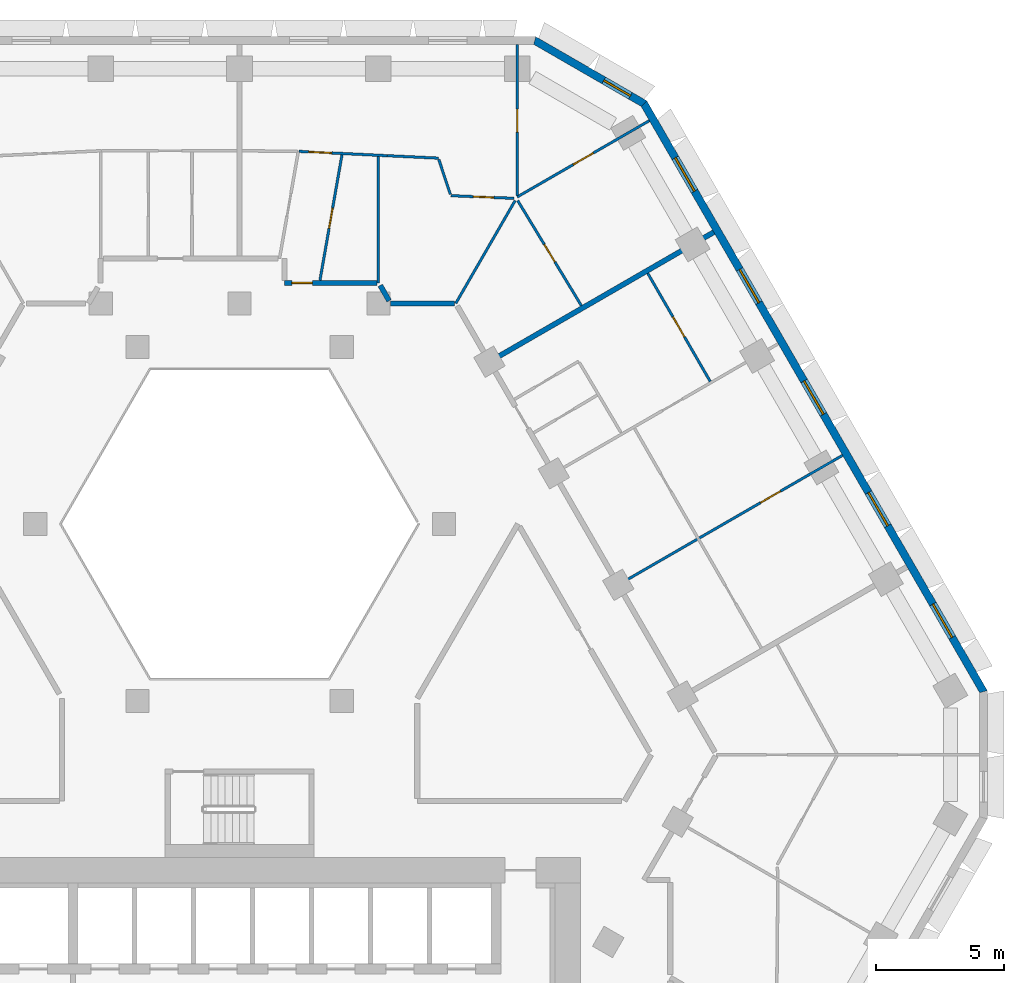
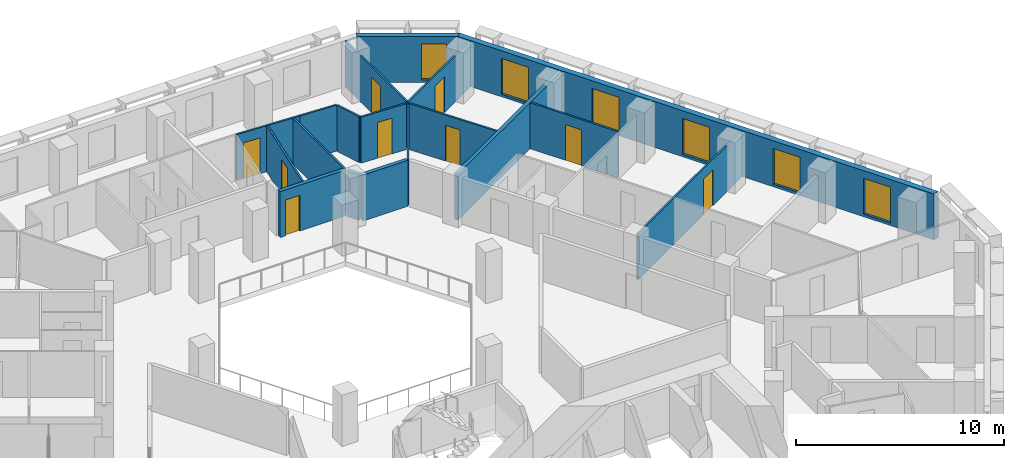
# One storey, part 9 of 15: 18 walls, 9 doors, 6 windows, 15 openings.
"""IFC4 building model written with IfcOpenShell, lengths in metres."""

import ifcopenshell
import ifcopenshell.guid

model = None  # the IFC model being written
_history = None  # IfcOwnerHistory: only IFC2X3 demands one
_inside = {}  # id of a spatial element -> (the spatial element, [elements in it])
_under = {}  # id of a project, library or spatial element -> (it, [spatial elements below it])
_declared = {}  # id of a project -> (the project, [libraries it declares])
_typed = {}  # id of a type object -> (the type object, [elements of that type])
_made_of = {}  # id of a material, layer set ... -> (it, [elements and type objects made of it])


def new_model(schema):
    """Start an empty IFC model of exactly this schema.

    Asked for "IFC4X3", IfcOpenShell would pick the latest addendum, in which some entities
    have other attributes; the version numbers below select the first issue.
    IFC2X3 requires an IfcOwnerHistory on every rooted entity: one is made here for all.
    """
    global model, _history
    if schema == "IFC4X3":
        model = ifcopenshell.file(schema_version=(4, 3, 0, 0))
    else:
        model = ifcopenshell.file(schema=schema)
    _inside.clear()
    _under.clear()
    _declared.clear()
    _typed.clear()
    _made_of.clear()
    _history = None
    if model.schema == "IFC2X3":
        org = make("IfcOrganization", Name="unknown")
        user = make(
            "IfcPersonAndOrganization",
            ThePerson=make("IfcPerson", FamilyName="unknown"),
            TheOrganization=org,
        )
        app = make(
            "IfcApplication",
            ApplicationDeveloper=org,
            Version="unknown",
            ApplicationFullName="unknown",
            ApplicationIdentifier="unknown",
        )
        _history = make(
            "IfcOwnerHistory",
            OwningUser=user,
            OwningApplication=app,
            ChangeAction="ADDED",
            CreationDate=0,
        )
    return model


def make(cls, **values):
    """One entity of the class cls with the attributes given. An attribute that is None is left unset."""
    return model.create_entity(
        cls, **{name: value for name, value in values.items() if value is not None}
    )


def rooted(cls, **values):
    """An entity with a GlobalId (a new one), such as an element, a storey or a relation."""
    return make(cls, GlobalId=ifcopenshell.guid.new(), OwnerHistory=_history, **values)


def si_unit(unit_type, name, prefix=None):
    """IfcSIUnit, for example si_unit("LENGTHUNIT", "METRE", prefix="MILLI")."""
    return make("IfcSIUnit", UnitType=unit_type, Prefix=prefix, Name=name)


def assignment(units):
    """IfcUnitAssignment: the units of a project."""
    return None if units is None else make("IfcUnitAssignment", Units=units)


def point(xyz):
    """IfcCartesianPoint."""
    return None if xyz is None else make("IfcCartesianPoint", Coordinates=xyz)


def direction(xyz):
    """IfcDirection."""
    return None if xyz is None else make("IfcDirection", DirectionRatios=xyz)


def frame(location, z_axis=None, x_axis=None):
    """IfcAxis2Placement3D, a coordinate frame: its origin and axes. An axis left out is left unset."""
    return make(
        "IfcAxis2Placement3D",
        Location=point(location),
        Axis=direction(z_axis),
        RefDirection=direction(x_axis),
    )


def frame_2d(location, x_axis=None):
    """IfcAxis2Placement2D, a coordinate frame in the plane: its origin and x axis."""
    return make(
        "IfcAxis2Placement2D", Location=point(location), RefDirection=direction(x_axis)
    )


def origin():
    """The frame at (0, 0, 0) with its axes left unset."""
    return frame((0.0, 0.0, 0.0))


def place(relative_to, where):
    """IfcLocalPlacement: puts the frame where relative to a parent placement (None: the world)."""
    return make(
        "IfcLocalPlacement", PlacementRelTo=relative_to, RelativePlacement=where
    )


def context(
    kind, dimensions, precision=None, world=None, true_north=None, identifier=None
):
    """IfcGeometricRepresentationContext, for example the 3D "Model" context."""
    return make(
        "IfcGeometricRepresentationContext",
        ContextIdentifier=identifier,
        ContextType=kind,
        CoordinateSpaceDimension=dimensions,
        Precision=precision,
        WorldCoordinateSystem=world,
        TrueNorth=true_north,
    )


def subcontext(parent, identifier, kind, view, scale=None):
    """IfcGeometricRepresentationSubContext, for example "Body" below "Model"."""
    return make(
        "IfcGeometricRepresentationSubContext",
        ContextIdentifier=identifier,
        ContextType=kind,
        ParentContext=parent,
        TargetScale=scale,
        TargetView=view,
    )


def project(units=None, contexts=None):
    """IfcProject with its units and contexts."""
    return rooted(
        "IfcProject",
        Name="project",
        RepresentationContexts=contexts,
        UnitsInContext=assignment(units),
    )


def spatial(cls, under=None, at=None, **own):
    """A site, building, storey or space (cls), placed at a placement, below another one or the project."""
    s = rooted(cls, ObjectPlacement=at, **own)
    if under is not None:
        _under.setdefault(under.id(), (under, []))[1].append(s)
    return s


def polyline(points):
    """IfcPolyline through the points."""
    return make("IfcPolyline", Points=[point(p) for p in points])


def profile(cls, at=None, kind="AREA", **sizes):
    """A parametric profile (cls). Its sizes go by their IFC names, for example OverallWidth=200.0."""
    return make(cls, ProfileType=kind, Position=at, **sizes)


def rectangle(**sizes):
    """IfcRectangleProfileDef."""
    return profile("IfcRectangleProfileDef", **sizes)


def outline(outer, holes=None, kind="AREA"):
    """IfcArbitraryClosedProfileDef: a profile drawn as a closed curve; with holes, ...WithVoids."""
    if holes is None:
        return make("IfcArbitraryClosedProfileDef", ProfileType=kind, OuterCurve=outer)
    return make(
        "IfcArbitraryProfileDefWithVoids",
        ProfileType=kind,
        OuterCurve=outer,
        InnerCurves=holes,
    )


def extrude(swept, where, along, depth):
    """IfcExtrudedAreaSolid: the profile swept, set in the frame where, extruded along a direction by depth."""
    return make(
        "IfcExtrudedAreaSolid",
        SweptArea=swept,
        Position=where,
        ExtrudedDirection=direction(along),
        Depth=depth,
    )


def shape(context_of_items, identifier, shape_type, items):
    """IfcShapeRepresentation: the items that make up one representation, for example the "Body"."""
    return make(
        "IfcShapeRepresentation",
        ContextOfItems=context_of_items,
        RepresentationIdentifier=identifier,
        RepresentationType=shape_type,
        Items=items,
    )


def material(Name=None, Category=None):
    """IfcMaterial."""
    return make("IfcMaterial", Name=Name, Category=Category)


def layer(
    of_material, thickness, ventilated=None, Name=None, Category=None, Priority=None
):
    """IfcMaterialLayer: one layer of a wall or slab, of a material (None: an air gap)."""
    return make(
        "IfcMaterialLayer",
        Material=of_material,
        LayerThickness=thickness,
        IsVentilated=ventilated,
        Name=Name,
        Category=Category,
        Priority=Priority,
    )


def layer_set(layers, Name=None):
    """IfcMaterialLayerSet."""
    return make("IfcMaterialLayerSet", MaterialLayers=layers, LayerSetName=Name)


def made_of(thing, what):
    """Note that an element or type object is made of a material, layer set ...; save() writes the relation."""
    if what is not None:
        _made_of.setdefault(what.id(), (what, []))[1].append(thing)
    return thing


def type_object(cls, material=None, **own):
    """A type object (cls), such as IfcWallType, which elements share."""
    return made_of(rooted(cls, **own), material)


def element(
    cls,
    number,
    at=None,
    inside=None,
    cuts=None,
    type_object=None,
    material=None,
    context=None,
    identifier="Body",
    shape_type=None,
    held_by="IfcProductDefinitionShape",
    body=None,
    shapes=None,
    **own,
):
    """One element of the class cls, such as IfcWall. Its Tag is "e" and its number.

    at: its placement. inside: the storey or other place that contains it. cuts: it is an
    opening in that element (IfcRelVoidsElement). A single representation is given by context,
    identifier, shape_type and body (its items); several are given by shapes. held_by: the class
    of the entity that holds the representations. save() writes the other relations.
    """
    e = rooted(cls, Tag="e%d" % number, ObjectPlacement=at, **own)
    if body is not None:
        shapes = [shape(context, identifier, shape_type, body)]
    if shapes is not None:
        e.Representation = make(held_by, Representations=shapes)
    if inside is not None:
        _inside.setdefault(inside.id(), (inside, []))[1].append(e)
    if cuts is not None:
        rooted(
            "IfcRelVoidsElement", RelatingBuildingElement=cuts, RelatedOpeningElement=e
        )
    if type_object is not None:
        _typed.setdefault(type_object.id(), (type_object, []))[1].append(e)
    return made_of(e, material)


def fill(opening, filler):
    """IfcRelFillsElement: the door or window that sits in an opening."""
    return rooted(
        "IfcRelFillsElement",
        RelatingOpeningElement=opening,
        RelatedBuildingElement=filler,
    )


def aggregate(whole, parts):
    """IfcRelAggregates: a whole, such as a stair, and the parts it consists of."""
    return rooted("IfcRelAggregates", RelatingObject=whole, RelatedObjects=parts)


def save(model, path):
    """Write the relations noted so far, then the file.

    IfcRelAggregates (storeys below a building ...), IfcRelContainedInSpatialStructure (elements
    in a storey), IfcRelDefinesByType, IfcRelAssociatesMaterial and IfcRelDeclares: one each for
    every whole, place, type object, material and project.
    """
    for whole, parts in _under.values():
        aggregate(whole, parts)
    for where, things in _inside.values():
        rooted(
            "IfcRelContainedInSpatialStructure",
            RelatedElements=things,
            RelatingStructure=where,
        )
    for kind, things in _typed.values():
        rooted("IfcRelDefinesByType", RelatedObjects=things, RelatingType=kind)
    for what, things in _made_of.values():
        rooted("IfcRelAssociatesMaterial", RelatedObjects=things, RelatingMaterial=what)
    for by, libraries in _declared.values():
        rooted("IfcRelDeclares", RelatingContext=by, RelatedDefinitions=libraries)
    model.write(path)


model = new_model("IFC4")

# Units and contexts
model_context = context("Model", 3, precision=1e-05, world=origin(), true_north=direction((0.0, 1.0)))
body_context = subcontext(model_context, "Body", "Model", "MODEL_VIEW")
ifc_project = project(units=[si_unit("LENGTHUNIT", "METRE"), si_unit("AREAUNIT", "SQUARE_METRE"), si_unit("VOLUMEUNIT", "CUBIC_METRE"), si_unit("PLANEANGLEUNIT", "RADIAN"), si_unit("MASSUNIT", "GRAM", prefix="KILO")], contexts=[model_context])

# Site, building, storey
site_placement = place(None, origin())
site = spatial("IfcSite", under=ifc_project, at=site_placement, CompositionType="ELEMENT")
building_placement = place(site_placement, origin())
building = spatial("IfcBuilding", under=site, at=building_placement, Name="Beryl Residences", CompositionType="ELEMENT")
storey_placement = place(building_placement, frame((0.0, 0.0, 84.0)))
storey = spatial("IfcBuildingStorey", under=building, at=storey_placement, Name="L25", CompositionType="ELEMENT", Elevation=84.0)

# Wall, openings, windows
ifc_material_1 = material(Name="Composite metal panel with mineral wool insulation")
ifc_layer_1 = layer(ifc_material_1, 0.300048828125)
ifc_layer_set_1 = layer_set([ifc_layer_1], Name="ES1 pale metal composite panel wall 300 mm")
wall_type_1 = type_object("IfcWallType", Name="ES1 pale metal composite panel wall 300 mm", PredefinedType="SOLIDWALL", material=ifc_layer_set_1)
wall_1_placement = place(storey_placement, frame((29.027099609375, 1.425048828125, 0.0), z_axis=(0.0, 0.0, 1.0), x_axis=(-0.500027479704, 0.866009537788, 0.0)))
wall_1 = element("IfcWall", 1, at=wall_1_placement, inside=storey, type_object=wall_type_1, Name="ES1 external wall L25 NE", PredefinedType="SOLIDWALL", context=body_context, shape_type="SweptSolid", body=[
    extrude(outline(polyline([(0.0, -0.14990234375), (26.55859375, -0.14990234375), (26.478271484375, 0.14990234375), (0.080322265625, 0.14990234375), (0.0, -0.14990234375)])), origin(), (0.0, 0.0, 1.0), 2.699951171875),
])
opening_1_placement = place(wall_1_placement, frame((2.48291015625, 0.0, 0.14990234375)))
opening_1 = element("IfcOpeningElement", 2, at=opening_1_placement, cuts=wall_1, Name="Opening W1", PredefinedType="OPENING", context=body_context, shape_type="SweptSolid", body=[
    extrude(rectangle(XDim=1.5, YDim=2.10009765625, at=frame_2d((0.75, 1.050048828125))), frame((0.0, 0.159912109375, 0.0), z_axis=(0.0, -1.0, 0.0), x_axis=(1.0, 0.0, 0.0)), (0.0, 0.0, 1.0), 0.320068359375),
])
opening_2_placement = place(wall_1_placement, frame((7.506103515625, 0.0, 0.14990234375)))
opening_2 = element("IfcOpeningElement", 3, at=opening_2_placement, cuts=wall_1, Name="Opening W1", PredefinedType="OPENING", context=body_context, shape_type="SweptSolid", body=[
    extrude(rectangle(XDim=1.5, YDim=2.10009765625, at=frame_2d((0.75, 1.050048828125))), frame((0.0, 0.159912109375, 0.0), z_axis=(0.0, -1.0, 0.0), x_axis=(1.0, 0.0, 0.0)), (0.0, 0.0, 1.0), 0.320068359375),
])
opening_3_placement = place(wall_1_placement, frame((12.529052734375, 0.0, 0.14990234375)))
opening_3 = element("IfcOpeningElement", 4, at=opening_3_placement, cuts=wall_1, Name="Opening W1", PredefinedType="OPENING", context=body_context, shape_type="SweptSolid", body=[
    extrude(rectangle(XDim=1.5, YDim=2.10009765625, at=frame_2d((0.75, 1.050048828125))), frame((0.0, 0.159912109375, 0.0), z_axis=(0.0, -1.0, 0.0), x_axis=(1.0, 0.0, 0.0)), (0.0, 0.0, 1.0), 0.320068359375),
])
opening_4_placement = place(wall_1_placement, frame((17.552001953125, 0.0, 0.14990234375)))
opening_4 = element("IfcOpeningElement", 5, at=opening_4_placement, cuts=wall_1, Name="Opening W1", PredefinedType="OPENING", context=body_context, shape_type="SweptSolid", body=[
    extrude(rectangle(XDim=1.5, YDim=2.10009765625, at=frame_2d((0.75, 1.050048828125))), frame((0.0, 0.159912109375, 0.0), z_axis=(0.0, -1.0, 0.0), x_axis=(1.0, 0.0, 0.0)), (0.0, 0.0, 1.0), 0.320068359375),
])
opening_5_placement = place(wall_1_placement, frame((22.574951171875, 0.0, 0.14990234375)))
opening_5 = element("IfcOpeningElement", 6, at=opening_5_placement, cuts=wall_1, Name="Opening W1", PredefinedType="OPENING", context=body_context, shape_type="SweptSolid", body=[
    extrude(rectangle(XDim=1.5, YDim=2.10009765625, at=frame_2d((0.75, 1.050048828125))), frame((0.0, 0.159912109375, 0.0), z_axis=(0.0, -1.0, 0.0), x_axis=(1.0, 0.0, 0.0)), (0.0, 0.0, 1.0), 0.320068359375),
])
ifc_material_2 = material(Name="Aluminium and clear glass", Category="aluminium")
window_type_1 = type_object("IfcWindowType", Name="W1 cell window 1500 x 2100 mm", PartitioningType="SINGLE_PANEL", PredefinedType="WINDOW", material=ifc_material_2)
window_1_placement = place(opening_1_placement, origin())
window_1 = element("IfcWindow", 7, at=window_1_placement, inside=storey, type_object=window_type_1, Name="W1 window L25 NE 2", OverallHeight=2.10009765625, OverallWidth=1.5, PartitioningType="SINGLE_PANEL", PredefinedType="WINDOW", context=body_context, shape_type="SweptSolid", body=[
    extrude(rectangle(XDim=1.5, YDim=2.10009765625, at=frame_2d((0.75, 1.050048828125))), frame((0.0, 0.030029296875, 0.0), z_axis=(0.0, -1.0, 0.0), x_axis=(1.0, 0.0, 0.0)), (0.0, 0.0, 1.0), 0.06005859375),
])
fill(opening_1, window_1)
window_2_placement = place(opening_2_placement, origin())
window_2 = element("IfcWindow", 8, at=window_2_placement, inside=storey, type_object=window_type_1, Name="W1 window L25 NE 4", OverallHeight=2.10009765625, OverallWidth=1.5, PartitioningType="SINGLE_PANEL", PredefinedType="WINDOW", context=body_context, shape_type="SweptSolid", body=[
    extrude(rectangle(XDim=1.5, YDim=2.10009765625, at=frame_2d((0.75, 1.050048828125))), frame((0.0, 0.030029296875, 0.0), z_axis=(0.0, -1.0, 0.0), x_axis=(1.0, 0.0, 0.0)), (0.0, 0.0, 1.0), 0.06005859375),
])
fill(opening_2, window_2)
window_3_placement = place(opening_3_placement, origin())
window_3 = element("IfcWindow", 9, at=window_3_placement, inside=storey, type_object=window_type_1, Name="W1 window L25 NE 6", OverallHeight=2.10009765625, OverallWidth=1.5, PartitioningType="SINGLE_PANEL", PredefinedType="WINDOW", context=body_context, shape_type="SweptSolid", body=[
    extrude(rectangle(XDim=1.5, YDim=2.10009765625, at=frame_2d((0.75, 1.050048828125))), frame((0.0, 0.030029296875, 0.0), z_axis=(0.0, -1.0, 0.0), x_axis=(1.0, 0.0, 0.0)), (0.0, 0.0, 1.0), 0.06005859375),
])
fill(opening_3, window_3)
window_4_placement = place(opening_4_placement, origin())
window_4 = element("IfcWindow", 10, at=window_4_placement, inside=storey, type_object=window_type_1, Name="W1 window L25 NE 8", OverallHeight=2.10009765625, OverallWidth=1.5, PartitioningType="SINGLE_PANEL", PredefinedType="WINDOW", context=body_context, shape_type="SweptSolid", body=[
    extrude(rectangle(XDim=1.5, YDim=2.10009765625, at=frame_2d((0.75, 1.050048828125))), frame((0.0, 0.030029296875, 0.0), z_axis=(0.0, -1.0, 0.0), x_axis=(1.0, 0.0, 0.0)), (0.0, 0.0, 1.0), 0.06005859375),
])
fill(opening_4, window_4)
window_5_placement = place(opening_5_placement, origin())
window_5 = element("IfcWindow", 11, at=window_5_placement, inside=storey, type_object=window_type_1, Name="W1 window L25 NE 10", OverallHeight=2.10009765625, OverallWidth=1.5, PartitioningType="SINGLE_PANEL", PredefinedType="WINDOW", context=body_context, shape_type="SweptSolid", body=[
    extrude(rectangle(XDim=1.5, YDim=2.10009765625, at=frame_2d((0.75, 1.050048828125))), frame((0.0, 0.030029296875, 0.0), z_axis=(0.0, -1.0, 0.0), x_axis=(1.0, 0.0, 0.0)), (0.0, 0.0, 1.0), 0.06005859375),
])
fill(opening_5, window_5)

# Wall, opening, window
wall_2_placement = place(storey_placement, frame((15.802001953125, 24.3701171875, 0.0), z_axis=(0.0, 0.0, 1.0), x_axis=(-0.866022959057, 0.500004234368, 0.0)))
wall_2 = element("IfcWall", 12, at=wall_2_placement, inside=storey, type_object=wall_type_1, Name="ES1 external wall L25 NE-N", PredefinedType="SOLIDWALL", context=body_context, shape_type="SweptSolid", body=[
    extrude(outline(polyline([(0.0, -0.14990234375), (5.0, -0.14990234375), (4.919677734375, 0.14990234375), (0.080322265625, 0.14990234375), (0.0, -0.14990234375)])), origin(), (0.0, 0.0, 1.0), 2.699951171875),
])
opening_6_placement = place(wall_2_placement, frame((0.64990234375, 0.0, 0.14990234375)))
opening_6 = element("IfcOpeningElement", 13, at=opening_6_placement, cuts=wall_2, Name="Opening W2", PredefinedType="OPENING", context=body_context, shape_type="SweptSolid", body=[
    extrude(rectangle(XDim=1.199951171875, YDim=2.10009765625, at=frame_2d((0.60009765625, 1.050048828125))), frame((0.0, 0.159912109375, 0.0), z_axis=(0.0, -1.0, 0.0), x_axis=(1.0, 0.0, 0.0)), (0.0, 0.0, 1.0), 0.320068359375),
])
ifc_material_3 = material(Name="Aluminium and clear glass", Category="aluminium")
window_type_2 = type_object("IfcWindowType", Name="W2 chamfer window 1200 x 2100 mm", PartitioningType="SINGLE_PANEL", PredefinedType="WINDOW", material=ifc_material_3)
window_6_placement = place(opening_6_placement, origin())
window_6 = element("IfcWindow", 14, at=window_6_placement, inside=storey, type_object=window_type_2, Name="W2 window L25 NE-N 1", OverallHeight=2.10009765625, OverallWidth=1.199951171875, PartitioningType="SINGLE_PANEL", PredefinedType="WINDOW", context=body_context, shape_type="SweptSolid", body=[
    extrude(rectangle(XDim=1.199951171875, YDim=2.10009765625, at=frame_2d((0.60009765625, 1.050048828125))), frame((0.0, 0.030029296875, 0.0), z_axis=(0.0, -1.0, 0.0), x_axis=(1.0, 0.0, 0.0)), (0.0, 0.0, 1.0), 0.06005859375),
])
fill(opening_6, window_6)

# Wall
ifc_material_4 = material(Name="Gypsum board partition on steel studs", Category="steel")
ifc_layer_2 = layer(ifc_material_4, 0.10009765625)
ifc_layer_set_2 = layer_set([ifc_layer_2], Name="PT1 partition 100 mm gypsum board on steel studs")
wall_type_2 = type_object("IfcWallType", Name="PT1 partition 100 mm gypsum board on steel studs", PredefinedType="PARTITIONING", material=ifc_layer_set_2)
wall_3_placement = place(storey_placement, frame((7.76904296875, 22.2119140625, 0.0), z_axis=(0.0, 0.0, 1.0), x_axis=(0.313312924695, -0.949649941409, 0.0)))
element("IfcWall", 15, at=wall_3_placement, inside=storey, type_object=wall_type_2, Name="Wall PT1 L25 002", PredefinedType="PARTITIONING", context=body_context, shape_type="SweptSolid", body=[
    extrude(rectangle(XDim=1.43310546875, YDim=0.10009765625, at=frame_2d((0.716552734375, 0.0))), origin(), (0.0, 0.0, 1.0), 2.699951171875),
])

# Wall, opening, door
wall_4_placement = place(storey_placement, frame((10.843017578125, 20.610107421875, 0.0), z_axis=(0.0, 0.0, 1.0), x_axis=(0.518481125811, -0.855089072657, 0.0)))
wall_4 = element("IfcWall", 16, at=wall_4_placement, inside=storey, type_object=wall_type_2, Name="Wall PT1 L25 003", PredefinedType="PARTITIONING", context=body_context, shape_type="SweptSolid", body=[
    extrude(rectangle(XDim=4.794921875, YDim=0.10009765625, at=frame_2d((2.3974609375, 0.0))), origin(), (0.0, 0.0, 1.0), 2.699951171875),
])
opening_7_placement = place(wall_4_placement, frame((1.9990234375, 0.0, 0.0)))
opening_7 = element("IfcOpeningElement", 17, at=opening_7_placement, cuts=wall_4, Name="Opening D0822", PredefinedType="OPENING", context=body_context, shape_type="SweptSolid", body=[
    extrude(rectangle(XDim=0.800048828125, YDim=2.10009765625, at=frame_2d((0.39990234375, 1.050048828125))), frame((0.0, 0.06005859375, 0.0), z_axis=(0.0, -1.0, 0.0), x_axis=(1.0, 0.0, 0.0)), (0.0, 0.0, 1.0), 0.1201171875),
])
ifc_material_5 = material(Name="Timber door leaf", Category="wood")
door_type_1 = type_object("IfcDoorType", Name="D3 bathroom door 800 x 2100 mm", OperationType="SINGLE_SWING_LEFT", PredefinedType="DOOR", material=ifc_material_5)
door_1_placement = place(opening_7_placement, origin())
door_1 = element("IfcDoor", 18, at=door_1_placement, inside=storey, type_object=door_type_1, Name="Door D0822 L25 001", OperationType="SINGLE_SWING_RIGHT", OverallHeight=2.10009765625, OverallWidth=0.800048828125, PredefinedType="DOOR", context=body_context, shape_type="SweptSolid", body=[
    extrude(rectangle(XDim=0.800048828125, YDim=2.10009765625, at=frame_2d((0.39990234375, 1.050048828125))), frame((0.0, 0.02490234375, 0.0), z_axis=(0.0, -1.0, 0.0), x_axis=(1.0, 0.0, 0.0)), (0.0, 0.0, 1.0), 0.050048828125),
])
fill(opening_7, door_1)

wall_5_placement = place(storey_placement, frame((15.916015625, 17.77294921875, 0.0), z_axis=(0.0, 0.0, 1.0), x_axis=(0.500093956194, -0.865971151354, 0.0)))
wall_5 = element("IfcWall", 19, at=wall_5_placement, inside=storey, type_object=wall_type_2, Name="Wall PT1 L25 007", PredefinedType="PARTITIONING", context=body_context, shape_type="SweptSolid", body=[
    extrude(rectangle(XDim=4.873046875, YDim=0.10009765625, at=frame_2d((2.4365234375, 0.0))), origin(), (0.0, 0.0, 1.0), 2.699951171875),
])
opening_8_placement = place(wall_5_placement, frame((1.9619140625, 0.0, 0.0)))
opening_8 = element("IfcOpeningElement", 20, at=opening_8_placement, cuts=wall_5, Name="Opening D0810", PredefinedType="OPENING", context=body_context, shape_type="SweptSolid", body=[
    extrude(rectangle(XDim=0.89990234375, YDim=2.10009765625, at=frame_2d((0.449951171875, 1.050048828125))), frame((0.0, 0.06005859375, 0.0), z_axis=(0.0, -1.0, 0.0), x_axis=(1.0, 0.0, 0.0)), (0.0, 0.0, 1.0), 0.1201171875),
])
ifc_material_6 = material(Name="Timber door leaf", Category="wood")
door_type_2 = type_object("IfcDoorType", Name="D2 room door 900 x 2100 mm", OperationType="SINGLE_SWING_LEFT", PredefinedType="DOOR", material=ifc_material_6)
door_2_placement = place(opening_8_placement, origin())
door_2 = element("IfcDoor", 21, at=door_2_placement, inside=storey, type_object=door_type_2, Name="Door D0810 L25 001", OperationType="SINGLE_SWING_RIGHT", OverallHeight=2.10009765625, OverallWidth=0.89990234375, PredefinedType="DOOR", context=body_context, shape_type="SweptSolid", body=[
    extrude(rectangle(XDim=0.89990234375, YDim=2.10009765625, at=frame_2d((0.449951171875, 1.050048828125))), frame((0.0, 0.02490234375, 0.0), z_axis=(0.0, -1.0, 0.0), x_axis=(1.0, 0.0, 0.0)), (0.0, 0.0, 1.0), 0.050048828125),
])
fill(opening_8, door_2)

wall_6_placement = place(storey_placement, frame((8.235107421875, 20.800048828125, 0.0), z_axis=(0.0, 0.0, 1.0), x_axis=(0.999110277005, -0.042174096116, 0.0)))
wall_6 = element("IfcWall", 22, at=wall_6_placement, inside=storey, type_object=wall_type_2, Name="Wall PT1 L25 016", PredefinedType="PARTITIONING", context=body_context, shape_type="SweptSolid", body=[
    extrude(rectangle(XDim=2.466064453125, YDim=0.10009765625, at=frame_2d((1.23291015625, 0.0))), origin(), (0.0, 0.0, 1.0), 2.699951171875),
])
opening_9_placement = place(wall_6_placement, frame((0.8798828125, 0.0, 0.0)))
opening_9 = element("IfcOpeningElement", 23, at=opening_9_placement, cuts=wall_6, Name="Opening D0820", PredefinedType="OPENING", context=body_context, shape_type="SweptSolid", body=[
    extrude(rectangle(XDim=0.800048828125, YDim=2.10009765625, at=frame_2d((0.39990234375, 1.050048828125))), frame((0.0, 0.06005859375, 0.0), z_axis=(0.0, -1.0, 0.0), x_axis=(1.0, 0.0, 0.0)), (0.0, 0.0, 1.0), 0.1201171875),
])
door_3_placement = place(opening_9_placement, origin())
door_3 = element("IfcDoor", 24, at=door_3_placement, inside=storey, type_object=door_type_1, Name="Door D0820 L25 001", OperationType="SINGLE_SWING_RIGHT", OverallHeight=2.10009765625, OverallWidth=0.800048828125, PredefinedType="DOOR", context=body_context, shape_type="SweptSolid", body=[
    extrude(rectangle(XDim=0.800048828125, YDim=2.10009765625, at=frame_2d((0.39990234375, 1.050048828125))), frame((0.0, 0.02490234375, 0.0), z_axis=(0.0, -1.0, 0.0), x_axis=(1.0, 0.0, 0.0)), (0.0, 0.0, 1.0), 0.050048828125),
])
fill(opening_9, door_3)

# Wall
wall_7_placement = place(storey_placement, frame((5.757080078125, 22.35791015625, 0.0), z_axis=(0.0, 0.0, 1.0), x_axis=(0.998868690804, -0.047553533316, 0.0)))
element("IfcWall", 25, at=wall_7_placement, inside=storey, type_object=wall_type_2, Name="Wall PT1 L25 017", PredefinedType="PARTITIONING", context=body_context, shape_type="SweptSolid", body=[
    extrude(rectangle(XDim=1.9970703125, YDim=0.10009765625, at=frame_2d((0.99853515625, 0.0))), origin(), (0.0, 0.0, 1.0), 2.699951171875),
])

# Wall, opening, door
wall_8_placement = place(storey_placement, frame((2.321044921875, 22.527099609375, 0.0), z_axis=(0.0, 0.0, 1.0), x_axis=(0.998789924329, -0.049180149038, 0.0)))
wall_8 = element("IfcWall", 26, at=wall_8_placement, inside=storey, type_object=wall_type_2, Name="Wall PT1 L25 018", PredefinedType="PARTITIONING", context=body_context, shape_type="SweptSolid", body=[
    extrude(rectangle(XDim=3.440185546875, YDim=0.10009765625, at=frame_2d((1.72021484375, 0.0))), origin(), (0.0, 0.0, 1.0), 2.699951171875),
])
opening_10_placement = place(wall_8_placement, frame((0.3759765625, 0.0, 0.0)))
opening_10 = element("IfcOpeningElement", 27, at=opening_10_placement, cuts=wall_8, Name="Opening D0818", PredefinedType="OPENING", context=body_context, shape_type="SweptSolid", body=[
    extrude(rectangle(XDim=0.89990234375, YDim=2.10009765625, at=frame_2d((0.449951171875, 1.050048828125))), frame((0.0, 0.06005859375, 0.0), z_axis=(0.0, -1.0, 0.0), x_axis=(1.0, 0.0, 0.0)), (0.0, 0.0, 1.0), 0.1201171875),
])
door_4_placement = place(opening_10_placement, origin())
door_4 = element("IfcDoor", 28, at=door_4_placement, inside=storey, type_object=door_type_2, Name="Door D0818 L25 001", OperationType="SINGLE_SWING_RIGHT", OverallHeight=2.10009765625, OverallWidth=0.89990234375, PredefinedType="DOOR", context=body_context, shape_type="SweptSolid", body=[
    extrude(rectangle(XDim=0.89990234375, YDim=2.10009765625, at=frame_2d((0.449951171875, 1.050048828125))), frame((0.0, 0.02490234375, 0.0), z_axis=(0.0, -1.0, 0.0), x_axis=(1.0, 0.0, 0.0)), (0.0, 0.0, 1.0), 0.050048828125),
])
fill(opening_10, door_4)

# Wall
wall_9_placement = place(storey_placement, frame((8.429931640625, 16.60009765625, 0.0), z_axis=(0.0, 0.0, 1.0), x_axis=(0.50003312339, 0.866006279142, 0.0)))
element("IfcWall", 29, at=wall_9_placement, inside=storey, type_object=wall_type_2, Name="Wall PT1 L25 034", PredefinedType="PARTITIONING", context=body_context, shape_type="SweptSolid", body=[
    extrude(rectangle(XDim=4.625732421875, YDim=0.10009765625, at=frame_2d((2.31298828125, 0.0))), origin(), (0.0, 0.0, 1.0), 2.699951171875),
])

# Wall, opening, door
wall_10_placement = place(storey_placement, frame((3.134033203125, 17.5, 0.0), z_axis=(0.0, 0.0, 1.0), x_axis=(0.172821216702, 0.984953210593, 0.0)))
wall_10 = element("IfcWall", 30, at=wall_10_placement, inside=storey, type_object=wall_type_2, Name="Wall PT1 L25 042", PredefinedType="PARTITIONING", context=body_context, shape_type="SweptSolid", body=[
    extrude(rectangle(XDim=4.9697265625, YDim=0.10009765625, at=frame_2d((2.48486328125, 0.0))), origin(), (0.0, 0.0, 1.0), 2.699951171875),
])
opening_11_placement = place(wall_10_placement, frame((2.05908203125, 0.0, 0.0)))
opening_11 = element("IfcOpeningElement", 31, at=opening_11_placement, cuts=wall_10, Name="Opening D0816", PredefinedType="OPENING", context=body_context, shape_type="SweptSolid", body=[
    extrude(rectangle(XDim=0.800048828125, YDim=2.10009765625, at=frame_2d((0.39990234375, 1.050048828125))), frame((0.0, 0.06005859375, 0.0), z_axis=(0.0, -1.0, 0.0), x_axis=(1.0, 0.0, 0.0)), (0.0, 0.0, 1.0), 0.1201171875),
])
door_5_placement = place(opening_11_placement, origin())
door_5 = element("IfcDoor", 32, at=door_5_placement, inside=storey, type_object=door_type_1, Name="Door D0816 L25 001", OperationType="SINGLE_SWING_RIGHT", OverallHeight=2.10009765625, OverallWidth=0.800048828125, PredefinedType="DOOR", context=body_context, shape_type="SweptSolid", body=[
    extrude(rectangle(XDim=0.800048828125, YDim=2.10009765625, at=frame_2d((0.39990234375, 1.050048828125))), frame((0.0, 0.02490234375, 0.0), z_axis=(0.0, -1.0, 0.0), x_axis=(1.0, 0.0, 0.0)), (0.0, 0.0, 1.0), 0.050048828125),
])
fill(opening_11, door_5)

# Wall
wall_11_placement = place(storey_placement, frame((5.412109375, 17.39990234375, 0.0), z_axis=(0.0, 0.0, 1.0), x_axis=(0.0, 1.0, 0.0)))
element("IfcWall", 33, at=wall_11_placement, inside=storey, type_object=wall_type_2, Name="Wall PT1 L25 047", PredefinedType="PARTITIONING", context=body_context, shape_type="SweptSolid", body=[
    extrude(rectangle(XDim=4.925048828125, YDim=0.10009765625, at=frame_2d((2.46240234375, 0.0))), origin(), (0.0, 0.0, 1.0), 2.699951171875),
])

# Wall, opening, door
wall_12_placement = place(storey_placement, frame((10.824951171875, 20.805908203125, 0.0), z_axis=(0.0, 0.0, 1.0), x_axis=(0.0, 1.0, 0.0)))
wall_12 = element("IfcWall", 34, at=wall_12_placement, inside=storey, type_object=wall_type_2, Name="Wall PT1 L25 050", PredefinedType="PARTITIONING", context=body_context, shape_type="SweptSolid", body=[
    extrude(rectangle(XDim=5.89404296875, YDim=0.10009765625, at=frame_2d((2.947021484375, 0.0))), origin(), (0.0, 0.0, 1.0), 2.699951171875),
])
opening_12_placement = place(wall_12_placement, frame((2.468017578125, 0.0, 0.0)))
opening_12 = element("IfcOpeningElement", 35, at=opening_12_placement, cuts=wall_12, Name="Opening D0819", PredefinedType="OPENING", context=body_context, shape_type="SweptSolid", body=[
    extrude(rectangle(XDim=0.89990234375, YDim=2.10009765625, at=frame_2d((0.449951171875, 1.050048828125))), frame((0.0, 0.06005859375, 0.0), z_axis=(0.0, -1.0, 0.0), x_axis=(1.0, 0.0, 0.0)), (0.0, 0.0, 1.0), 0.1201171875),
])
door_6_placement = place(opening_12_placement, origin())
door_6 = element("IfcDoor", 36, at=door_6_placement, inside=storey, type_object=door_type_2, Name="Door D0819 L25 001", OperationType="SINGLE_SWING_LEFT", OverallHeight=2.10009765625, OverallWidth=0.89990234375, PredefinedType="DOOR", context=body_context, shape_type="SweptSolid", body=[
    extrude(rectangle(XDim=0.89990234375, YDim=2.10009765625, at=frame_2d((0.449951171875, 1.050048828125))), frame((0.0, 0.02490234375, 0.0), z_axis=(0.0, -1.0, 0.0), x_axis=(1.0, 0.0, 0.0)), (0.0, 0.0, 1.0), 0.050048828125),
])
fill(opening_12, door_6)

wall_13_placement = place(storey_placement, frame((14.85302734375, 5.675048828125, 0.0), z_axis=(0.0, 0.0, 1.0), x_axis=(0.866016855193, 0.500014806302, 0.0)))
wall_13 = element("IfcWall", 37, at=wall_13_placement, inside=storey, type_object=wall_type_2, Name="Wall PT1 L25 064", PredefinedType="PARTITIONING", context=body_context, shape_type="SweptSolid", body=[
    extrude(rectangle(XDim=9.999755859375, YDim=0.10009765625, at=frame_2d((5.0, 0.0))), origin(), (0.0, 0.0, 1.0), 2.699951171875),
])
opening_13_placement = place(wall_13_placement, frame((6.300048828125, 0.0, 0.0)))
opening_13 = element("IfcOpeningElement", 38, at=opening_13_placement, cuts=wall_13, Name="Opening D0812", PredefinedType="OPENING", context=body_context, shape_type="SweptSolid", body=[
    extrude(rectangle(XDim=0.89990234375, YDim=2.10009765625, at=frame_2d((0.449951171875, 1.050048828125))), frame((0.0, 0.06005859375, 0.0), z_axis=(0.0, -1.0, 0.0), x_axis=(1.0, 0.0, 0.0)), (0.0, 0.0, 1.0), 0.1201171875),
])
door_7_placement = place(opening_13_placement, origin())
door_7 = element("IfcDoor", 39, at=door_7_placement, inside=storey, type_object=door_type_2, Name="Door D0812 L25 001", OperationType="SINGLE_SWING_RIGHT", OverallHeight=2.10009765625, OverallWidth=0.89990234375, PredefinedType="DOOR", context=body_context, shape_type="SweptSolid", body=[
    extrude(rectangle(XDim=0.89990234375, YDim=2.10009765625, at=frame_2d((0.449951171875, 1.050048828125))), frame((0.0, 0.02490234375, 0.0), z_axis=(0.0, -1.0, 0.0), x_axis=(1.0, 0.0, 0.0)), (0.0, 0.0, 1.0), 0.050048828125),
])
fill(opening_13, door_7)

wall_14_placement = place(storey_placement, frame((10.825927734375, 20.75, 0.0), z_axis=(0.0, 0.0, 1.0), x_axis=(0.865986712877, 0.50006700863, 0.0)))
wall_14 = element("IfcWall", 40, at=wall_14_placement, inside=storey, type_object=wall_type_2, Name="Wall PT1 L25 066", PredefinedType="PARTITIONING", context=body_context, shape_type="SweptSolid", body=[
    extrude(rectangle(XDim=5.949462890625, YDim=0.10009765625, at=frame_2d((2.974609375, 0.0))), origin(), (0.0, 0.0, 1.0), 2.699951171875),
])
opening_14_placement = place(wall_14_placement, frame((2.52392578125, 0.0, 0.0)))
opening_14 = element("IfcOpeningElement", 41, at=opening_14_placement, cuts=wall_14, Name="Opening D0821", PredefinedType="OPENING", context=body_context, shape_type="SweptSolid", body=[
    extrude(rectangle(XDim=0.89990234375, YDim=2.10009765625, at=frame_2d((0.449951171875, 1.050048828125))), frame((0.0, 0.06005859375, 0.0), z_axis=(0.0, -1.0, 0.0), x_axis=(1.0, 0.0, 0.0)), (0.0, 0.0, 1.0), 0.1201171875),
])
door_8_placement = place(opening_14_placement, origin())
door_8 = element("IfcDoor", 42, at=door_8_placement, inside=storey, type_object=door_type_2, Name="Door D0821 L25 001", OperationType="SINGLE_SWING_LEFT", OverallHeight=2.10009765625, OverallWidth=0.89990234375, PredefinedType="DOOR", context=body_context, shape_type="SweptSolid", body=[
    extrude(rectangle(XDim=0.89990234375, YDim=2.10009765625, at=frame_2d((0.449951171875, 1.050048828125))), frame((0.0, 0.02490234375, 0.0), z_axis=(0.0, -1.0, 0.0), x_axis=(1.0, 0.0, 0.0)), (0.0, 0.0, 1.0), 0.050048828125),
])
fill(opening_14, door_8)

# Walls
ifc_material_7 = material(Name="Acoustic double stud gypsum board wall")
ifc_layer_3 = layer(ifc_material_7, 0.199951171875)
ifc_layer_set_3 = layer_set([ifc_layer_3], Name="PT3 party wall 200 mm acoustic double stud")
wall_type_3 = type_object("IfcWallType", Name="PT3 party wall 200 mm acoustic double stud", PredefinedType="PARTITIONING", material=ifc_layer_set_3)
wall_15_placement = place(storey_placement, frame((9.830078125, 14.375, 0.0), z_axis=(0.0, 0.0, 1.0), x_axis=(0.865992435864, 0.500057097767, 0.0)))
element("IfcWall", 43, at=wall_15_placement, inside=storey, type_object=wall_type_3, Name="Wall PT3 L25 013", PredefinedType="PARTITIONING", context=body_context, shape_type="SweptSolid", body=[
    extrude(rectangle(XDim=9.998779296875, YDim=0.199951171875, at=frame_2d((4.99951171875, 0.0))), origin(), (0.0, 0.0, 1.0), 2.699951171875),
])
ifc_material_8 = material(Name="Double stud gypsum board wall")
ifc_layer_4 = layer(ifc_material_8, 0.199951171875)
ifc_layer_set_4 = layer_set([ifc_layer_4], Name="PT4 corridor wall 200 mm double stud")
wall_type_4 = type_object("IfcWallType", Name="PT4 corridor wall 200 mm double stud", PredefinedType="PARTITIONING", material=ifc_layer_set_4)
wall_16_placement = place(storey_placement, frame((5.485107421875, 17.300048828125, 0.0), z_axis=(0.0, 0.0, 1.0), x_axis=(0.499437640892, -0.866349838611, 0.0)))
element("IfcWall", 44, at=wall_16_placement, inside=storey, type_object=wall_type_4, Name="Wall PT4 L25 004", PredefinedType="PARTITIONING", context=body_context, shape_type="SweptSolid", body=[
    extrude(rectangle(XDim=0.692626953125, YDim=0.199951171875, at=frame_2d((0.34619140625, 0.0))), origin(), (0.0, 0.0, 1.0), 2.699951171875),
])
wall_17_placement = place(storey_placement, frame((5.888916015625, 16.60009765625, 0.0), z_axis=(0.0, 0.0, 1.0), x_axis=(1.0, 0.0, 0.0)))
element("IfcWall", 45, at=wall_17_placement, inside=storey, type_object=wall_type_4, Name="Wall PT4 L25 021", PredefinedType="PARTITIONING", context=body_context, shape_type="SweptSolid", body=[
    extrude(rectangle(XDim=2.483154296875, YDim=0.199951171875, at=frame_2d((1.24169921875, 0.0))), origin(), (0.0, 0.0, 1.0), 2.699951171875),
])

# Wall, opening, door
wall_18_placement = place(storey_placement, frame((1.75, 17.39990234375, 0.0), z_axis=(0.0, 0.0, 1.0), x_axis=(1.0, 0.0, 0.0)))
wall_18 = element("IfcWall", 46, at=wall_18_placement, inside=storey, type_object=wall_type_4, Name="Wall PT4 L25 022", PredefinedType="PARTITIONING", context=body_context, shape_type="SweptSolid", body=[
    extrude(rectangle(XDim=3.612060546875, YDim=0.199951171875, at=frame_2d((1.80615234375, 0.0))), origin(), (0.0, 0.0, 1.0), 2.699951171875),
])
opening_15_placement = place(wall_18_placement, frame((0.2919921875, 0.0, 0.0)))
opening_15 = element("IfcOpeningElement", 47, at=opening_15_placement, cuts=wall_18, Name="Opening D0815", PredefinedType="OPENING", context=body_context, shape_type="SweptSolid", body=[
    extrude(rectangle(XDim=0.800048828125, YDim=2.10009765625, at=frame_2d((0.39990234375, 1.050048828125))), frame((0.0, 0.10986328125, 0.0), z_axis=(0.0, -1.0, 0.0), x_axis=(1.0, 0.0, 0.0)), (0.0, 0.0, 1.0), 0.219970703125),
])
ifc_material_9 = material(Name="Timber door leaf", Category="wood")
door_type_3 = type_object("IfcDoorType", Name="D12 flat entrance door 800 x 2100 mm", OperationType="SINGLE_SWING_LEFT", PredefinedType="DOOR", material=ifc_material_9)
door_9_placement = place(opening_15_placement, origin())
door_9 = element("IfcDoor", 48, at=door_9_placement, inside=storey, type_object=door_type_3, Name="Door D0815 L25 001", OperationType="SINGLE_SWING_LEFT", OverallHeight=2.10009765625, OverallWidth=0.800048828125, PredefinedType="DOOR", context=body_context, shape_type="SweptSolid", body=[
    extrude(rectangle(XDim=0.800048828125, YDim=2.10009765625, at=frame_2d((0.39990234375, 1.050048828125))), frame((0.0, 0.02490234375, 0.0), z_axis=(0.0, -1.0, 0.0), x_axis=(1.0, 0.0, 0.0)), (0.0, 0.0, 1.0), 0.050048828125),
])
fill(opening_15, door_9)

save(model, "model.ifc")
